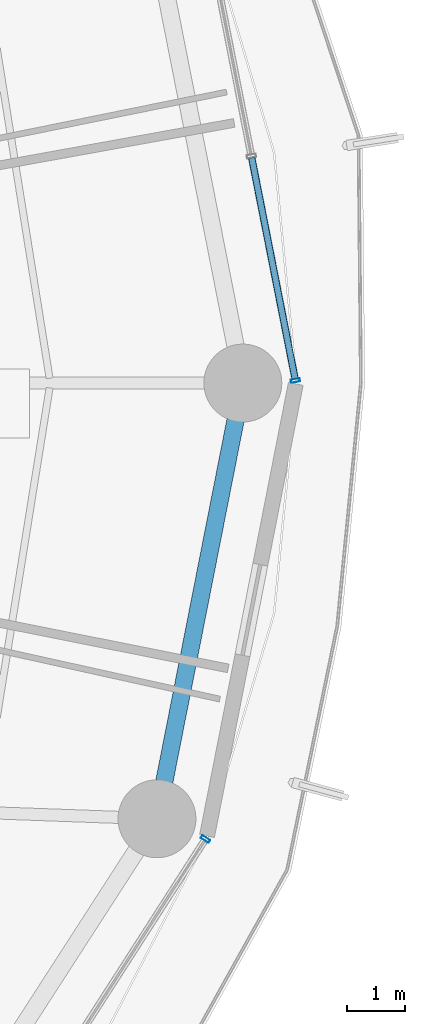
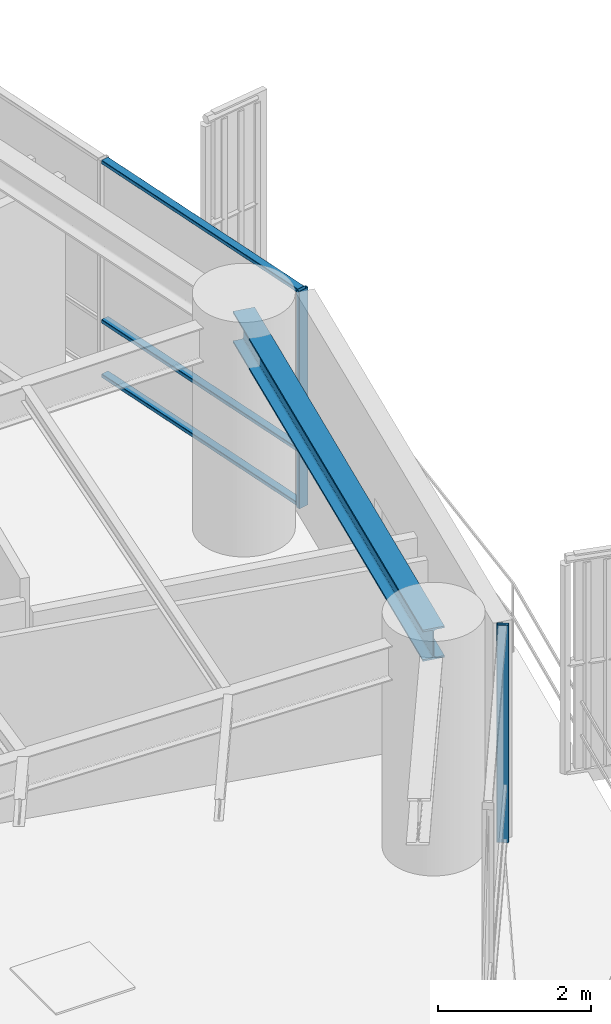
# One storey, part 16 of 35: 5 members, 1 beam, 2 elements without a shape of their own.
"""IFC4 building model written with IfcOpenShell, lengths in metres."""

from ifc_helpers import new_model, si_unit, direction, frame, origin, origin_2d, place, context, subcontext, project, spatial, hollow_rectangle, i_section, extrude, material, layer, layer_set, material_profile, profile_set, type_object, element, aggregate, save


model = new_model("IFC4")

# Units and contexts
model_context = context("Model", 3, precision=1e-05, world=origin(), true_north=direction((0.0, 1.0)))
body_context = subcontext(model_context, "Body", "Model", "MODEL_VIEW")
ifc_project = project(units=[si_unit("LENGTHUNIT", "METRE"), si_unit("AREAUNIT", "SQUARE_METRE"), si_unit("VOLUMEUNIT", "CUBIC_METRE"), si_unit("PLANEANGLEUNIT", "RADIAN"), si_unit("MASSUNIT", "GRAM", prefix="KILO")], contexts=[model_context])

# Site, building, storey
site_placement = place(None, origin())
site = spatial("IfcSite", under=ifc_project, at=site_placement, CompositionType="ELEMENT")
building_placement = place(site_placement, origin())
building = spatial("IfcBuilding", under=site, at=building_placement, Name="Kelanora Arch Commons", CompositionType="ELEMENT")
storey_placement = place(building_placement, frame((0.0, 0.0, 117.60009765625)))
storey = spatial("IfcBuildingStorey", under=building, at=storey_placement, Name="L30", CompositionType="ELEMENT", Elevation=117.60009765625)

# Beam
ifc_material_1 = material(Name="Steel S355", Category="steel")
ifc_material_profile_1 = material_profile(ifc_material_1, i_section(OverallWidth=0.300048828125, OverallDepth=0.5, WebThickness=0.014404296875, FlangeThickness=0.028076171875, FilletRadius=0.027099609375, at=origin_2d()), Name="HEB500")
ifc_profile_set_1 = profile_set([ifc_material_profile_1], Name="Steel S355")
beam_type = type_object("IfcBeamType", Name="BM-SPN-Z2", PredefinedType="SPANDREL", material=ifc_profile_set_1)
beam_placement = place(storey_placement, frame((97.191650390625, 50.4482421875, 3.239990234375), z_axis=(0.19335825777, 0.981128220037, 0.0), x_axis=(-0.981128220037, 0.19335825777, 0.0)))
element("IfcBeam", 1, at=beam_placement, inside=storey, type_object=beam_type, Name="Perimeter Spandrel Beam BS-34 L30", PredefinedType="SPANDREL", context=body_context, shape_type="SweptSolid", body=[
    extrude(i_section(OverallWidth=0.300048828125, OverallDepth=0.5, WebThickness=0.014404296875, FlangeThickness=0.028076171875, FilletRadius=0.027099609375, at=origin_2d()), origin(), (0.0, 0.0, 1.0), 7.697021484375),
])

# Curtain wall, member
ifc_material_2 = material(Name="Terracotta ceramic-fritted low-E glass and aluminium", Category="masonry")
ifc_layer = layer(ifc_material_2, 0.159912109375)
ifc_layer_set = layer_set([ifc_layer], Name="Terracotta ceramic-fritted low-E glass and aluminium")
curtain_wall_type = type_object("IfcCurtainWallType", Name="CW-SYS-01", PredefinedType="NOTDEFINED", material=ifc_layer_set)
curtain_wall_1_placement = place(storey_placement, origin())
curtain_wall_1 = element("IfcCurtainWall", 2, at=curtain_wall_1_placement, inside=storey, type_object=curtain_wall_type, Name="Unitised Curtain Wall L30-B00", PredefinedType="NOTDEFINED")
ifc_material_3 = material(Name="Powder-coated aluminium terracotta", Category="masonry")
ifc_material_profile_2 = material_profile(ifc_material_3, hollow_rectangle(XDim=0.159912109375, YDim=0.06005859375, WallThickness=0.0048828125, InnerFilletRadius=0.0048828125, OuterFilletRadius=0.010009765625, at=origin_2d()), Name="CWM160x60")
ifc_profile_set_2 = profile_set([ifc_material_profile_2], Name="Powder-coated aluminium terracotta")
member_type_1 = type_object("IfcMemberType", Name="CWM-STD", PredefinedType="MULLION", material=ifc_profile_set_2)
member_1_placement = place(storey_placement, frame((99.59130859375, 58.044189453125, 0.0), z_axis=(0.0, 0.0, 1.0), x_axis=(-0.981280311646, -0.192584916272, 0.0)))
member_1 = element("IfcMember", 3, at=member_1_placement, type_object=member_type_1, Name="CW-01 mullion 1", PredefinedType="MULLION", context=body_context, shape_type="SweptSolid", body=[
    extrude(hollow_rectangle(XDim=0.159912109375, YDim=0.06005859375, WallThickness=0.0048828125, InnerFilletRadius=0.0048828125, OuterFilletRadius=0.010009765625, at=origin_2d()), origin(), (0.0, 0.0, 1.0), 3.474853515625),
])

curtain_wall_2_placement = place(storey_placement, origin())
curtain_wall_2 = element("IfcCurtainWall", 4, at=curtain_wall_2_placement, inside=storey, type_object=curtain_wall_type, Name="Unitised Curtain Wall L30-B16", PredefinedType="NOTDEFINED")
member_2_placement = place(storey_placement, frame((98.03173828125, 50.095703125, 0.0), z_axis=(0.0, 0.0, 1.0), x_axis=(-0.841268883088, 0.540616931244, 0.0)))
member_2 = element("IfcMember", 5, at=member_2_placement, type_object=member_type_1, Name="CW-01 mullion 3", PredefinedType="MULLION", context=body_context, shape_type="SweptSolid", body=[
    extrude(hollow_rectangle(XDim=0.159912109375, YDim=0.06005859375, WallThickness=0.0048828125, InnerFilletRadius=0.0048828125, OuterFilletRadius=0.010009765625, at=origin_2d()), origin(), (0.0, 0.0, 1.0), 3.474853515625),
])
aggregate(curtain_wall_2, [member_2])

# Member
ifc_material_profile_3 = material_profile(ifc_material_3, hollow_rectangle(XDim=0.1201171875, YDim=0.06005859375, WallThickness=0.0048828125, InnerFilletRadius=0.0048828125, OuterFilletRadius=0.010009765625, at=origin_2d()), Name="CWT120x60")
ifc_profile_set_3 = profile_set([ifc_material_profile_3], Name="Powder-coated aluminium terracotta")
member_type_2 = type_object("IfcMemberType", Name="CWT-STD", PredefinedType="USERDEFINED", material=ifc_profile_set_3)
member_3_placement = place(storey_placement, frame((99.58544921875, 58.073486328125, 0.02978515625), z_axis=(-0.192578614785, 0.981281548348, 0.0), x_axis=(-0.981281548348, -0.192578614785, 0.0)))
member_3 = element("IfcMember", 6, at=member_3_placement, type_object=member_type_2, Name="CW-01 transom 1.1", ObjectType="TRANSOM", PredefinedType="USERDEFINED", context=body_context, shape_type="SweptSolid", body=[
    extrude(hollow_rectangle(XDim=0.1201171875, YDim=0.06005859375, WallThickness=0.0048828125, InnerFilletRadius=0.0048828125, OuterFilletRadius=0.010009765625, at=origin_2d()), origin(), (0.0, 0.0, 1.0), 3.9033203125),
])

member_4_placement = place(storey_placement, frame((99.58544921875, 58.073486328125, 0.89990234375), z_axis=(-0.192578614785, 0.981281548348, 0.0), x_axis=(-0.981281548348, -0.192578614785, 0.0)))
member_4 = element("IfcMember", 7, at=member_4_placement, type_object=member_type_2, Name="CW-01 transom 1.2", ObjectType="TRANSOM", PredefinedType="USERDEFINED", context=body_context, shape_type="SweptSolid", body=[
    extrude(hollow_rectangle(XDim=0.1201171875, YDim=0.06005859375, WallThickness=0.0048828125, InnerFilletRadius=0.0048828125, OuterFilletRadius=0.010009765625, at=origin_2d()), origin(), (0.0, 0.0, 1.0), 3.9033203125),
])

member_5_placement = place(storey_placement, frame((99.58544921875, 58.073486328125, 3.44482421875), z_axis=(-0.192578614785, 0.981281548348, 0.0), x_axis=(-0.981281548348, -0.192578614785, 0.0)))
member_5 = element("IfcMember", 8, at=member_5_placement, type_object=member_type_2, Name="CW-01 transom 1.3", ObjectType="TRANSOM", PredefinedType="USERDEFINED", context=body_context, shape_type="SweptSolid", body=[
    extrude(hollow_rectangle(XDim=0.1201171875, YDim=0.06005859375, WallThickness=0.0048828125, InnerFilletRadius=0.0048828125, OuterFilletRadius=0.010009765625, at=origin_2d()), origin(), (0.0, 0.0, 1.0), 3.9033203125),
])

aggregate(curtain_wall_1, [member_1, member_3, member_4, member_5])

save(model, "model.ifc")
